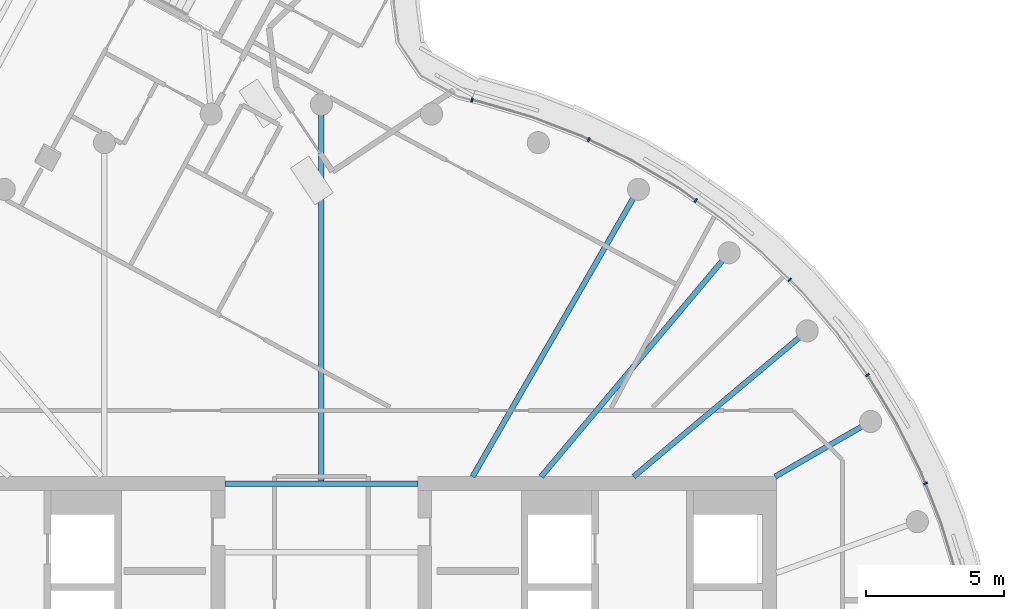
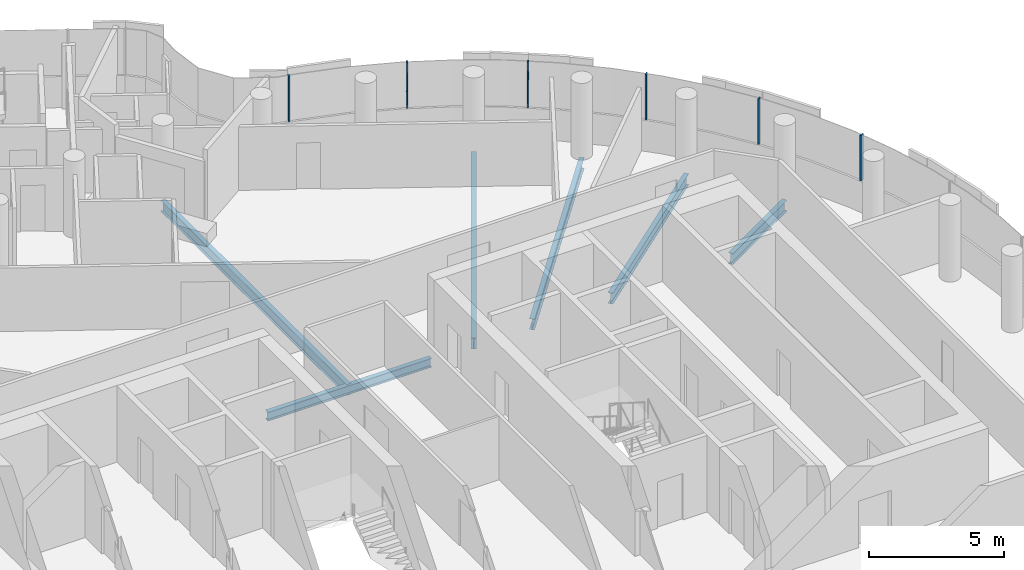
# One storey, part 10 of 22: 6 beams, 6 members, 1 element without a shape of its own.
"""IFC4 building model written with IfcOpenShell, lengths in metres."""

from ifc_helpers import new_model, si_unit, direction, frame, origin, origin_2d, place, context, subcontext, project, spatial, rectangle, i_section, extrude, material, layer, layer_set, material_profile, profile_set, type_object, element, aggregate, save


model = new_model("IFC4")

# Units and contexts
model_context = context("Model", 3, precision=1e-05, world=origin(), true_north=direction((0.0, 1.0)))
body_context = subcontext(model_context, "Body", "Model", "MODEL_VIEW")
ifc_project = project(units=[si_unit("LENGTHUNIT", "METRE"), si_unit("AREAUNIT", "SQUARE_METRE"), si_unit("VOLUMEUNIT", "CUBIC_METRE"), si_unit("PLANEANGLEUNIT", "RADIAN"), si_unit("MASSUNIT", "GRAM", prefix="KILO")], contexts=[model_context])

# Site, building, storey
site_placement = place(None, origin())
site = spatial("IfcSite", under=ifc_project, at=site_placement, CompositionType="ELEMENT")
building_placement = place(site_placement, origin())
building = spatial("IfcBuilding", under=site, at=building_placement, Name="Tamarind Cross Interchange Tower", CompositionType="ELEMENT")
storey_placement = place(building_placement, frame((0.0, 0.0, 256.800048828125)))
storey = spatial("IfcBuildingStorey", under=building, at=storey_placement, Name="L65", CompositionType="ELEMENT", Elevation=256.800048828125)

# Beams
ifc_material_1 = material(Name="Steel Q355B", Category="steel")
ifc_material_profile_1 = material_profile(ifc_material_1, i_section(OverallWidth=0.199951171875, OverallDepth=0.39990234375, WebThickness=0.008056640625, FlangeThickness=0.012939453125, FilletRadius=0.01611328125, at=origin_2d()), Name="HN 400x200x8x13")
ifc_profile_set_1 = profile_set([ifc_material_profile_1], Name="Steel Q355B")
beam_type_1 = type_object("IfcBeamType", Name="Composite beam HN 400x200x8x13 Q355B", PredefinedType="BEAM", material=ifc_profile_set_1)
beam_1_placement = place(storey_placement, frame((-3.5, 9.25, -0.340087890625), z_axis=(1.0, 0.0, 0.0), x_axis=(0.0, 1.0, 0.0)))
element("IfcBeam", 1, at=beam_1_placement, inside=storey, type_object=beam_type_1, Name="Beam G9.25", PredefinedType="BEAM", context=body_context, shape_type="SweptSolid", body=[
    extrude(i_section(OverallWidth=0.199951171875, OverallDepth=0.39990234375, WebThickness=0.008056640625, FlangeThickness=0.012939453125, FilletRadius=0.01611328125, at=origin_2d()), origin(), (0.0, 0.0, 1.0), 7.0),
])
ifc_material_profile_2 = material_profile(ifc_material_1, i_section(OverallWidth=0.198974609375, OverallDepth=0.49609375, WebThickness=0.009033203125, FlangeThickness=0.013916015625, FilletRadius=0.012939453125, at=origin_2d()), Name="HN 496x199x9x14")
ifc_profile_set_2 = profile_set([ifc_material_profile_2], Name="Steel Q355B")
beam_type_2 = type_object("IfcBeamType", Name="Composite beam HN 496x199x9x14 Q355B", PredefinedType="BEAM", material=ifc_profile_set_2)
beam_2_placement = place(storey_placement, frame((19.918701171875, 11.5, -0.387939453125), z_axis=(-0.866026010844, -0.49999894854, 0.0), x_axis=(0.49999894854, -0.866026010844, 0.0)))
element("IfcBeam", 2, at=beam_2_placement, inside=storey, type_object=beam_type_2, Name="Beam HH03", PredefinedType="BEAM", context=body_context, shape_type="SweptSolid", body=[
    extrude(i_section(OverallWidth=0.198974609375, OverallDepth=0.49609375, WebThickness=0.009033203125, FlangeThickness=0.013916015625, FilletRadius=0.012939453125, at=origin_2d()), origin(), (0.0, 0.0, 1.0), 4.0),
])
beam_3_placement = place(storey_placement, frame((17.619140625, 14.7841796875, -0.387939453125), z_axis=(-0.766040580814, -0.642792212574, 0.0), x_axis=(0.642792212574, -0.766040580814, 0.0)))
element("IfcBeam", 3, at=beam_3_placement, inside=storey, type_object=beam_type_2, Name="Beam HH04", PredefinedType="BEAM", context=body_context, shape_type="SweptSolid", body=[
    extrude(i_section(OverallWidth=0.198974609375, OverallDepth=0.49609375, WebThickness=0.009033203125, FlangeThickness=0.013916015625, FilletRadius=0.012939453125, at=origin_2d()), origin(), (0.0, 0.0, 1.0), 8.220703125),
])
beam_4_placement = place(storey_placement, frame((14.7841796875, 17.619140625, -0.387939453125), z_axis=(-0.642786293979, -0.766045547127, 0.0), x_axis=(0.766045547127, -0.642786293979, 0.0)))
element("IfcBeam", 4, at=beam_4_placement, inside=storey, type_object=beam_type_2, Name="Beam HH05", PredefinedType="BEAM", context=body_context, shape_type="SweptSolid", body=[
    extrude(i_section(OverallWidth=0.198974609375, OverallDepth=0.49609375, WebThickness=0.009033203125, FlangeThickness=0.013916015625, FilletRadius=0.012939453125, at=origin_2d()), origin(), (0.0, 0.0, 1.0), 10.598876953125),
])
beam_5_placement = place(storey_placement, frame((11.5, 19.918701171875, -0.387939453125), z_axis=(-0.499993565836, -0.866029118519, 0.0), x_axis=(0.866029118519, -0.499993565836, 0.0)))
element("IfcBeam", 5, at=beam_5_placement, inside=storey, type_object=beam_type_2, Name="Beam HH06", PredefinedType="BEAM", context=body_context, shape_type="SweptSolid", body=[
    extrude(i_section(OverallWidth=0.198974609375, OverallDepth=0.49609375, WebThickness=0.009033203125, FlangeThickness=0.013916015625, FilletRadius=0.012939453125, at=origin_2d()), origin(), (0.0, 0.0, 1.0), 12.030517578125),
])
beam_6_placement = place(storey_placement, frame((0.0, 23.0, -0.387939453125), z_axis=(0.0, -1.0, 0.0), x_axis=(1.0, 0.0, 0.0)))
element("IfcBeam", 6, at=beam_6_placement, inside=storey, type_object=beam_type_2, Name="Beam HH09", PredefinedType="BEAM", context=body_context, shape_type="SweptSolid", body=[
    extrude(i_section(OverallWidth=0.198974609375, OverallDepth=0.49609375, WebThickness=0.009033203125, FlangeThickness=0.013916015625, FilletRadius=0.012939453125, at=origin_2d()), origin(), (0.0, 0.0, 1.0), 13.75),
])

# Curtain wall, members
ifc_material_2 = material(Name="Aluminium 6063-T6", Category="aluminium")
ifc_layer = layer(ifc_material_2, 0.14990234375)
ifc_layer_set = layer_set([ifc_layer], Name="Aluminium 6063-T6")
curtain_wall_type = type_object("IfcCurtainWallType", Name="Winter garden and crown curtain wall", PredefinedType="NOTDEFINED", material=ifc_layer_set)
curtain_wall_placement = place(storey_placement, origin())
curtain_wall = element("IfcCurtainWall", 7, at=curtain_wall_placement, inside=storey, type_object=curtain_wall_type, Name="CWS-L65-01", PredefinedType="NOTDEFINED")
ifc_material_profile_3 = material_profile(ifc_material_2, rectangle(XDim=0.06005859375, YDim=0.14990234375, at=origin_2d()), Name="Mullion CW6")
ifc_profile_set_3 = profile_set([ifc_material_profile_3], Name="Aluminium 6063-T6")
member_type = type_object("IfcMemberType", Name="Mullion CW6", PredefinedType="MULLION", material=ifc_profile_set_3)
member_1_placement = place(storey_placement, frame((21.907470703125, 9.25439453125, 1.39990234375), z_axis=(0.0, 0.0, 1.0), x_axis=(-0.367513773146, 0.930018078613, 0.0)))
member_1 = element("IfcMember", 8, at=member_1_placement, type_object=member_type, Name="CWM-L65-01-25", PredefinedType="MULLION", context=body_context, shape_type="SweptSolid", body=[
    extrude(rectangle(XDim=0.06005859375, YDim=0.14990234375, at=origin_2d()), origin(), (0.0, 0.0, 1.0), 2.06005859375),
])
member_2_placement = place(storey_placement, frame((19.80322265625, 13.186279296875, 1.39990234375), z_axis=(0.0, 0.0, 1.0), x_axis=(-0.584573890505, 0.811340475102, 0.0)))
member_2 = element("IfcMember", 9, at=member_2_placement, type_object=member_type, Name="CWM-L65-01-26", PredefinedType="MULLION", context=body_context, shape_type="SweptSolid", body=[
    extrude(rectangle(XDim=0.06005859375, YDim=0.14990234375, at=origin_2d()), origin(), (0.0, 0.0, 1.0), 2.06005859375),
])
member_3_placement = place(storey_placement, frame((16.98388671875, 16.6416015625, 1.39990234375), z_axis=(0.0, 0.0, 1.0), x_axis=(-0.710143317658, 0.704057148523, 0.0)))
member_3 = element("IfcMember", 10, at=member_3_placement, type_object=member_type, Name="CWM-L65-01-27", PredefinedType="MULLION", context=body_context, shape_type="SweptSolid", body=[
    extrude(rectangle(XDim=0.06005859375, YDim=0.14990234375, at=origin_2d()), origin(), (0.0, 0.0, 1.0), 2.06005859375),
])
member_4_placement = place(storey_placement, frame((13.5771484375, 19.518310546875, 1.39990234375), z_axis=(0.0, 0.0, 1.0), x_axis=(-0.816341886298, 0.577568978284, 0.0)))
member_4 = element("IfcMember", 11, at=member_4_placement, type_object=member_type, Name="CWM-L65-01-28", PredefinedType="MULLION", context=body_context, shape_type="SweptSolid", body=[
    extrude(rectangle(XDim=0.06005859375, YDim=0.14990234375, at=origin_2d()), origin(), (0.0, 0.0, 1.0), 2.06005859375),
])
member_5_placement = place(storey_placement, frame((9.698974609375, 21.71923828125, 1.39990234375), z_axis=(0.0, 0.0, 1.0), x_axis=(-0.900272776334, 0.435326231914, 0.0)))
member_5 = element("IfcMember", 12, at=member_5_placement, type_object=member_type, Name="CWM-L65-01-29", PredefinedType="MULLION", context=body_context, shape_type="SweptSolid", body=[
    extrude(rectangle(XDim=0.06005859375, YDim=0.14990234375, at=origin_2d()), origin(), (0.0, 0.0, 1.0), 2.06005859375),
])
member_6_placement = place(storey_placement, frame((5.463134765625, 23.161376953125, 1.39990234375), z_axis=(0.0, 0.0, 1.0), x_axis=(-0.971012492079, 0.239028743514, 0.0)))
member_6 = element("IfcMember", 13, at=member_6_placement, type_object=member_type, Name="CWM-L65-01-30", PredefinedType="MULLION", context=body_context, shape_type="SweptSolid", body=[
    extrude(rectangle(XDim=0.06005859375, YDim=0.14990234375, at=origin_2d()), origin(), (0.0, 0.0, 1.0), 2.06005859375),
])
aggregate(curtain_wall, [member_1, member_2, member_3, member_4, member_5, member_6])

save(model, "model.ifc")
